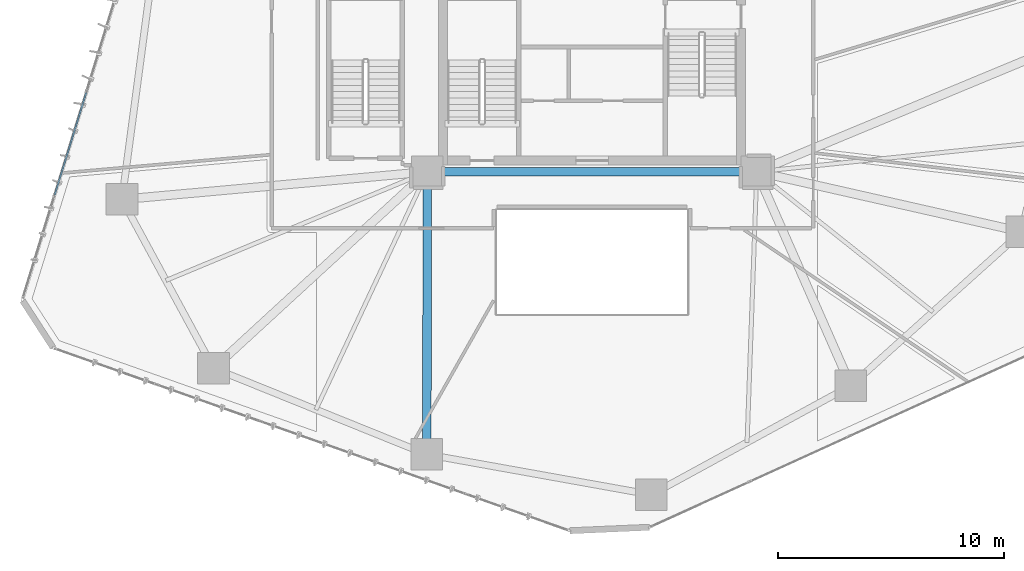
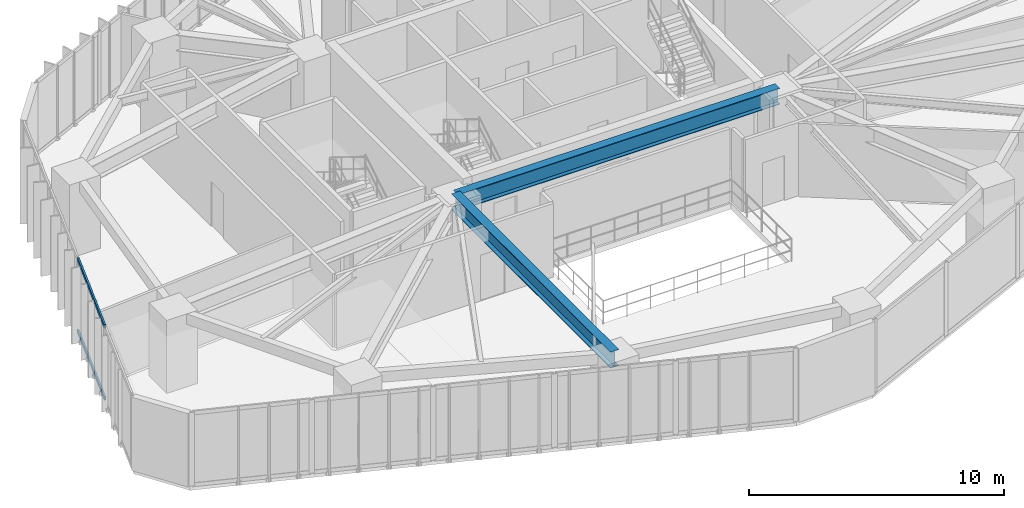
# One storey, part 6 of 24: 2 beams, 2 members, 1 element without a shape of its own.
"""IFC4 building model written with IfcOpenShell, lengths in metres."""

import ifcopenshell
import ifcopenshell.guid

model = None  # the IFC model being written
_history = None  # IfcOwnerHistory: only IFC2X3 demands one
_inside = {}  # id of a spatial element -> (the spatial element, [elements in it])
_under = {}  # id of a project, library or spatial element -> (it, [spatial elements below it])
_declared = {}  # id of a project -> (the project, [libraries it declares])
_typed = {}  # id of a type object -> (the type object, [elements of that type])
_made_of = {}  # id of a material, layer set ... -> (it, [elements and type objects made of it])


def new_model(schema):
    """Start an empty IFC model of exactly this schema.

    Asked for "IFC4X3", IfcOpenShell would pick the latest addendum, in which some entities
    have other attributes; the version numbers below select the first issue.
    IFC2X3 requires an IfcOwnerHistory on every rooted entity: one is made here for all.
    """
    global model, _history
    if schema == "IFC4X3":
        model = ifcopenshell.file(schema_version=(4, 3, 0, 0))
    else:
        model = ifcopenshell.file(schema=schema)
    _inside.clear()
    _under.clear()
    _declared.clear()
    _typed.clear()
    _made_of.clear()
    _history = None
    if model.schema == "IFC2X3":
        org = make("IfcOrganization", Name="unknown")
        user = make(
            "IfcPersonAndOrganization",
            ThePerson=make("IfcPerson", FamilyName="unknown"),
            TheOrganization=org,
        )
        app = make(
            "IfcApplication",
            ApplicationDeveloper=org,
            Version="unknown",
            ApplicationFullName="unknown",
            ApplicationIdentifier="unknown",
        )
        _history = make(
            "IfcOwnerHistory",
            OwningUser=user,
            OwningApplication=app,
            ChangeAction="ADDED",
            CreationDate=0,
        )
    return model


def make(cls, **values):
    """One entity of the class cls with the attributes given. An attribute that is None is left unset."""
    return model.create_entity(
        cls, **{name: value for name, value in values.items() if value is not None}
    )


def rooted(cls, **values):
    """An entity with a GlobalId (a new one), such as an element, a storey or a relation."""
    return make(cls, GlobalId=ifcopenshell.guid.new(), OwnerHistory=_history, **values)


def si_unit(unit_type, name, prefix=None):
    """IfcSIUnit, for example si_unit("LENGTHUNIT", "METRE", prefix="MILLI")."""
    return make("IfcSIUnit", UnitType=unit_type, Prefix=prefix, Name=name)


def assignment(units):
    """IfcUnitAssignment: the units of a project."""
    return None if units is None else make("IfcUnitAssignment", Units=units)


def point(xyz):
    """IfcCartesianPoint."""
    return None if xyz is None else make("IfcCartesianPoint", Coordinates=xyz)


def direction(xyz):
    """IfcDirection."""
    return None if xyz is None else make("IfcDirection", DirectionRatios=xyz)


def frame(location, z_axis=None, x_axis=None):
    """IfcAxis2Placement3D, a coordinate frame: its origin and axes. An axis left out is left unset."""
    return make(
        "IfcAxis2Placement3D",
        Location=point(location),
        Axis=direction(z_axis),
        RefDirection=direction(x_axis),
    )


def frame_2d(location, x_axis=None):
    """IfcAxis2Placement2D, a coordinate frame in the plane: its origin and x axis."""
    return make(
        "IfcAxis2Placement2D", Location=point(location), RefDirection=direction(x_axis)
    )


def origin():
    """The frame at (0, 0, 0) with its axes left unset."""
    return frame((0.0, 0.0, 0.0))


def origin_2d():
    """The frame at (0, 0) in the plane with its x axis left unset."""
    return frame_2d((0.0, 0.0))


def place(relative_to, where):
    """IfcLocalPlacement: puts the frame where relative to a parent placement (None: the world)."""
    return make(
        "IfcLocalPlacement", PlacementRelTo=relative_to, RelativePlacement=where
    )


def context(
    kind, dimensions, precision=None, world=None, true_north=None, identifier=None
):
    """IfcGeometricRepresentationContext, for example the 3D "Model" context."""
    return make(
        "IfcGeometricRepresentationContext",
        ContextIdentifier=identifier,
        ContextType=kind,
        CoordinateSpaceDimension=dimensions,
        Precision=precision,
        WorldCoordinateSystem=world,
        TrueNorth=true_north,
    )


def subcontext(parent, identifier, kind, view, scale=None):
    """IfcGeometricRepresentationSubContext, for example "Body" below "Model"."""
    return make(
        "IfcGeometricRepresentationSubContext",
        ContextIdentifier=identifier,
        ContextType=kind,
        ParentContext=parent,
        TargetScale=scale,
        TargetView=view,
    )


def project(units=None, contexts=None):
    """IfcProject with its units and contexts."""
    return rooted(
        "IfcProject",
        Name="project",
        RepresentationContexts=contexts,
        UnitsInContext=assignment(units),
    )


def spatial(cls, under=None, at=None, **own):
    """A site, building, storey or space (cls), placed at a placement, below another one or the project."""
    s = rooted(cls, ObjectPlacement=at, **own)
    if under is not None:
        _under.setdefault(under.id(), (under, []))[1].append(s)
    return s


def profile(cls, at=None, kind="AREA", **sizes):
    """A parametric profile (cls). Its sizes go by their IFC names, for example OverallWidth=200.0."""
    return make(cls, ProfileType=kind, Position=at, **sizes)


def hollow_rectangle(**sizes):
    """IfcRectangleHollowProfileDef."""
    return profile("IfcRectangleHollowProfileDef", **sizes)


def i_section(**sizes):
    """IfcIShapeProfileDef."""
    return profile("IfcIShapeProfileDef", **sizes)


def extrude(swept, where, along, depth):
    """IfcExtrudedAreaSolid: the profile swept, set in the frame where, extruded along a direction by depth."""
    return make(
        "IfcExtrudedAreaSolid",
        SweptArea=swept,
        Position=where,
        ExtrudedDirection=direction(along),
        Depth=depth,
    )


def shape(context_of_items, identifier, shape_type, items):
    """IfcShapeRepresentation: the items that make up one representation, for example the "Body"."""
    return make(
        "IfcShapeRepresentation",
        ContextOfItems=context_of_items,
        RepresentationIdentifier=identifier,
        RepresentationType=shape_type,
        Items=items,
    )


def source(mapping_origin, context_of_items, identifier, shape_type, items):
    """IfcRepresentationMap: a shape defined once, which mapped items show again and again."""
    return make(
        "IfcRepresentationMap",
        MappingOrigin=mapping_origin,
        MappedRepresentation=shape(context_of_items, identifier, shape_type, items),
    )


def transform(
    local_origin,
    x_axis=None,
    y_axis=None,
    z_axis=None,
    scale=None,
    scale2=None,
    scale3=None,
    uniform=True,
):
    """IfcCartesianTransformationOperator3D, or its non-uniform kind. x_axis, y_axis, z_axis: its Axis1, 2, 3."""
    if uniform:
        return make(
            "IfcCartesianTransformationOperator3D",
            Axis1=direction(x_axis),
            Axis2=direction(y_axis),
            LocalOrigin=point(local_origin),
            Scale=scale,
            Axis3=direction(z_axis),
        )
    return make(
        "IfcCartesianTransformationOperator3DnonUniform",
        Axis1=direction(x_axis),
        Axis2=direction(y_axis),
        LocalOrigin=point(local_origin),
        Scale=scale,
        Axis3=direction(z_axis),
        Scale2=scale2,
        Scale3=scale3,
    )


def mapped(mapping_source, mapping_target):
    """IfcMappedItem: shows the shape of a source again, moved by a transform."""
    return make(
        "IfcMappedItem", MappingSource=mapping_source, MappingTarget=mapping_target
    )


def material(Name=None, Category=None):
    """IfcMaterial."""
    return make("IfcMaterial", Name=Name, Category=Category)


def layer(
    of_material, thickness, ventilated=None, Name=None, Category=None, Priority=None
):
    """IfcMaterialLayer: one layer of a wall or slab, of a material (None: an air gap)."""
    return make(
        "IfcMaterialLayer",
        Material=of_material,
        LayerThickness=thickness,
        IsVentilated=ventilated,
        Name=Name,
        Category=Category,
        Priority=Priority,
    )


def layer_set(layers, Name=None):
    """IfcMaterialLayerSet."""
    return make("IfcMaterialLayerSet", MaterialLayers=layers, LayerSetName=Name)


def material_profile(
    of_material, cross_section, Name=None, Category=None, Priority=None
):
    """IfcMaterialProfile: a cross section and its material."""
    return make(
        "IfcMaterialProfile",
        Name=Name,
        Material=of_material,
        Profile=cross_section,
        Priority=Priority,
        Category=Category,
    )


def profile_set(profiles, Name=None, composite=None):
    """IfcMaterialProfileSet."""
    return make(
        "IfcMaterialProfileSet",
        Name=Name,
        MaterialProfiles=profiles,
        CompositeProfile=composite,
    )


def made_of(thing, what):
    """Note that an element or type object is made of a material, layer set ...; save() writes the relation."""
    if what is not None:
        _made_of.setdefault(what.id(), (what, []))[1].append(thing)
    return thing


def type_object(cls, material=None, **own):
    """A type object (cls), such as IfcWallType, which elements share."""
    return made_of(rooted(cls, **own), material)


def type_shapes(of_type, sources):
    """Give a type object the sources (RepresentationMaps) that its elements show as mapped items."""
    of_type.RepresentationMaps = sources


def element(
    cls,
    number,
    at=None,
    inside=None,
    cuts=None,
    type_object=None,
    material=None,
    context=None,
    identifier="Body",
    shape_type=None,
    held_by="IfcProductDefinitionShape",
    body=None,
    shapes=None,
    **own,
):
    """One element of the class cls, such as IfcWall. Its Tag is "e" and its number.

    at: its placement. inside: the storey or other place that contains it. cuts: it is an
    opening in that element (IfcRelVoidsElement). A single representation is given by context,
    identifier, shape_type and body (its items); several are given by shapes. held_by: the class
    of the entity that holds the representations. save() writes the other relations.
    """
    e = rooted(cls, Tag="e%d" % number, ObjectPlacement=at, **own)
    if body is not None:
        shapes = [shape(context, identifier, shape_type, body)]
    if shapes is not None:
        e.Representation = make(held_by, Representations=shapes)
    if inside is not None:
        _inside.setdefault(inside.id(), (inside, []))[1].append(e)
    if cuts is not None:
        rooted(
            "IfcRelVoidsElement", RelatingBuildingElement=cuts, RelatedOpeningElement=e
        )
    if type_object is not None:
        _typed.setdefault(type_object.id(), (type_object, []))[1].append(e)
    return made_of(e, material)


def aggregate(whole, parts):
    """IfcRelAggregates: a whole, such as a stair, and the parts it consists of."""
    return rooted("IfcRelAggregates", RelatingObject=whole, RelatedObjects=parts)


def save(model, path):
    """Write the relations noted so far, then the file.

    IfcRelAggregates (storeys below a building ...), IfcRelContainedInSpatialStructure (elements
    in a storey), IfcRelDefinesByType, IfcRelAssociatesMaterial and IfcRelDeclares: one each for
    every whole, place, type object, material and project.
    """
    for whole, parts in _under.values():
        aggregate(whole, parts)
    for where, things in _inside.values():
        rooted(
            "IfcRelContainedInSpatialStructure",
            RelatedElements=things,
            RelatingStructure=where,
        )
    for kind, things in _typed.values():
        rooted("IfcRelDefinesByType", RelatedObjects=things, RelatingType=kind)
    for what, things in _made_of.values():
        rooted("IfcRelAssociatesMaterial", RelatedObjects=things, RelatingMaterial=what)
    for by, libraries in _declared.values():
        rooted("IfcRelDeclares", RelatingContext=by, RelatedDefinitions=libraries)
    model.write(path)


model = new_model("IFC4")

# Units and contexts
model_context = context("Model", 3, precision=1e-05, world=origin(), true_north=direction((0.0, 1.0)))
body_context = subcontext(model_context, "Body", "Model", "MODEL_VIEW")
ifc_project = project(units=[si_unit("LENGTHUNIT", "METRE"), si_unit("AREAUNIT", "SQUARE_METRE"), si_unit("VOLUMEUNIT", "CUBIC_METRE"), si_unit("PLANEANGLEUNIT", "RADIAN"), si_unit("MASSUNIT", "GRAM", prefix="KILO")], contexts=[model_context])

# Site, building, storey
site_placement = place(None, origin())
site = spatial("IfcSite", under=ifc_project, at=site_placement, CompositionType="ELEMENT")
building_placement = place(site_placement, origin())
building = spatial("IfcBuilding", under=site, at=building_placement, Name="Talar Marvaseh", CompositionType="ELEMENT")
storey_placement = place(building_placement, frame((0.0, 0.0, 31.60009765625)))
storey = spatial("IfcBuildingStorey", under=building, at=storey_placement, Name="L07", CompositionType="ELEMENT", Elevation=31.60009765625)

# Beams
ifc_material_1 = material(Name="Steel S355", Category="steel")
ifc_material_profile_1 = material_profile(ifc_material_1, i_section(OverallWidth=0.381103515625, OverallDepth=0.77294921875, WebThickness=0.0166015625, FlangeThickness=0.027099609375, at=origin_2d()), Name="W760x257")
ifc_profile_set_1 = profile_set([ifc_material_profile_1], Name="Steel S355")
beam_type = type_object("IfcBeamType", Name="Zone 1 Radial Floor Girder W760x257", PredefinedType="BEAM", material=ifc_profile_set_1)
beam_1_placement = place(storey_placement, frame((18.699951171875, 25.5, 3.13330078125), z_axis=(1.0, 0.0, 0.0), x_axis=(0.0, 1.0, 0.0)))
element("IfcBeam", 1, at=beam_1_placement, inside=storey, type_object=beam_type, Name="L07 Zone 1 Radial Floor Girder W760x257", PredefinedType="BEAM", context=body_context, shape_type="SweptSolid", body=[
    extrude(i_section(OverallWidth=0.381103515625, OverallDepth=0.77294921875, WebThickness=0.0166015625, FlangeThickness=0.027099609375, at=origin_2d()), origin(), (0.0, 0.0, 1.0), 14.60009765625),
])
beam_2_placement = place(storey_placement, frame((18.68310546875, 12.97900390625, 3.13330078125), z_axis=(0.001345395187, 0.999999094955, 0.0), x_axis=(-0.999999094955, 0.001345395187, 0.0)))
element("IfcBeam", 2, at=beam_2_placement, inside=storey, type_object=beam_type, Name="L07 Zone 1 Radial Floor Girder W760x257", PredefinedType="BEAM", context=body_context, shape_type="SweptSolid", body=[
    extrude(i_section(OverallWidth=0.381103515625, OverallDepth=0.77294921875, WebThickness=0.0166015625, FlangeThickness=0.027099609375, at=origin_2d()), origin(), (0.0, 0.0, 1.0), 12.52099609375),
])

# Curtain wall, members
ifc_material_2 = material(Name="Architectural Aluminium", Category="aluminium")
ifc_layer = layer(ifc_material_2, 0.219970703125)
ifc_layer_set = layer_set([ifc_layer], Name="Architectural Aluminium")
curtain_wall_type = type_object("IfcCurtainWallType", Name="Unitised Low-E Museum Curtain Wall Z1", PredefinedType="NOTDEFINED", material=ifc_layer_set)
curtain_wall_placement = place(storey_placement, origin())
curtain_wall = element("IfcCurtainWall", 3, at=curtain_wall_placement, inside=storey, type_object=curtain_wall_type, Name="L07 Unitised Low-E Museum Curtain Wall Z1", PredefinedType="NOTDEFINED")
ifc_material_profile_2 = material_profile(ifc_material_2, hollow_rectangle(XDim=0.074951171875, YDim=0.179931640625, WallThickness=0.0048828125, at=origin_2d()), Name="RHS180x75x5")
ifc_profile_set_2 = profile_set([ifc_material_profile_2], Name="Architectural Aluminium")
member_type = type_object("IfcMemberType", Name="Unitised Curtain Wall Transom RHS180x75x5", PredefinedType="USERDEFINED", material=ifc_profile_set_2)
shared_shape = source(origin(), body_context, "Body", "SweptSolid", [
    extrude(hollow_rectangle(XDim=0.074951171875, YDim=0.179931640625, WallThickness=0.0048828125, at=origin_2d()), origin(), (0.0, 0.0, 1.0), 4.736572265625),
])
type_shapes(member_type, [shared_shape])
member_1_placement = place(storey_placement, frame((2.196044921875, 24.480712890625, 0.037353515625), z_axis=(0.294933279464, 0.955517849475, 0.0), x_axis=(-0.955517849475, 0.294933279464, 0.0)))
member_1 = element("IfcMember", 4, at=member_1_placement, type_object=member_type, Name="CW-Z1 transom 2.1", ObjectType="TRANSOM", PredefinedType="USERDEFINED", context=body_context, shape_type="MappedRepresentation", body=[
    mapped(shared_shape, transform((0.0, 0.0, 0.0), x_axis=(1.0, 0.0, 0.0), y_axis=(0.0, 1.0, 0.0), z_axis=(0.0, 0.0, 1.0), scale=1.0)),
])
member_2_placement = place(storey_placement, frame((2.196044921875, 24.480712890625, 3.482421875), z_axis=(0.294933279464, 0.955517849475, 0.0), x_axis=(-0.955517849475, 0.294933279464, 0.0)))
member_2 = element("IfcMember", 5, at=member_2_placement, type_object=member_type, Name="CW-Z1 transom 2.2", ObjectType="TRANSOM", PredefinedType="USERDEFINED", context=body_context, shape_type="MappedRepresentation", body=[
    mapped(shared_shape, transform((0.0, 0.0, 0.0), x_axis=(1.0, 0.0, 0.0), y_axis=(0.0, 1.0, 0.0), z_axis=(0.0, 0.0, 1.0), scale=1.0)),
])
aggregate(curtain_wall, [member_1, member_2])

save(model, "model.ifc")
